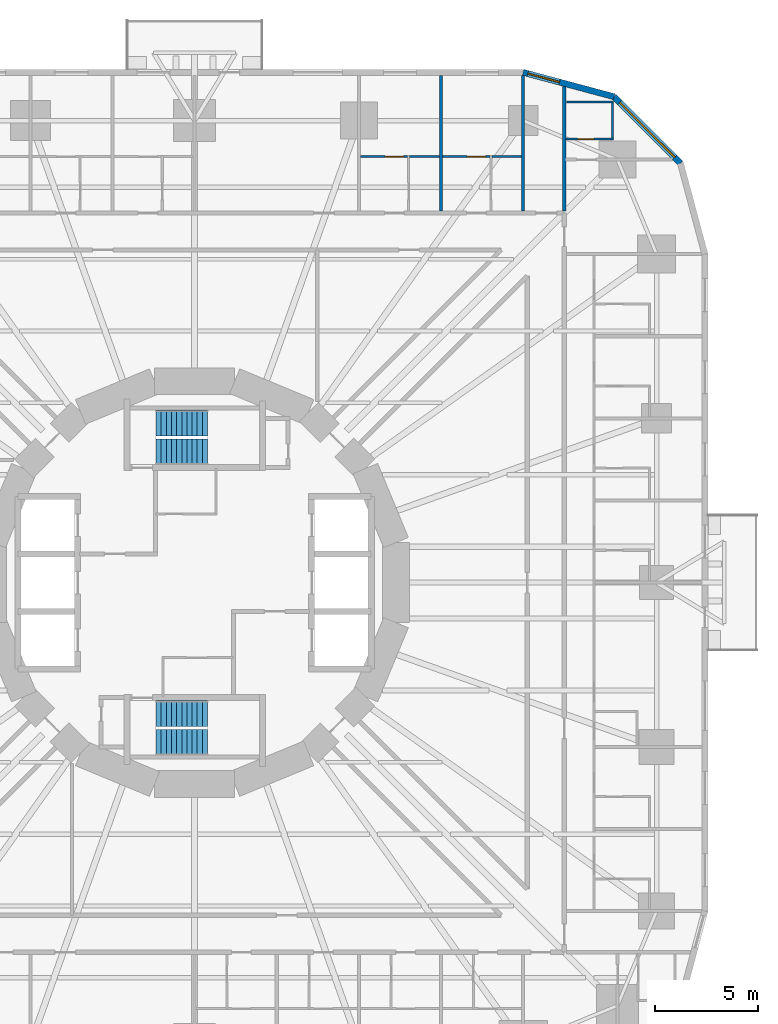
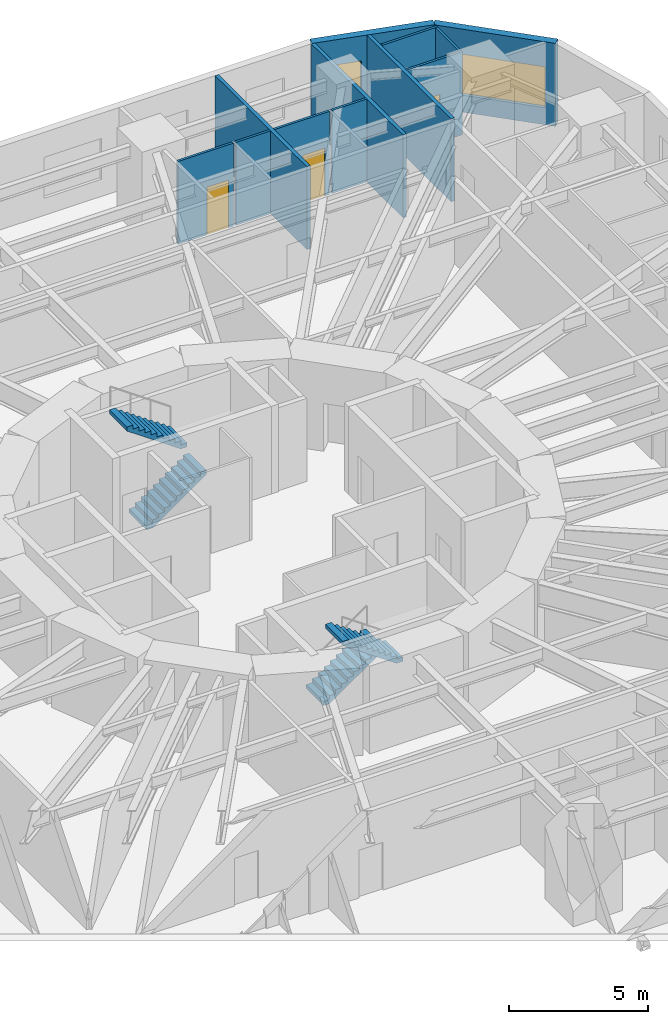
# One storey, part 12 of 14: 12 walls, 4 stair flights, 3 doors, 2 windows, 5 openings, 2 elements without a shape of their own.
"""IFC4 building model written with IfcOpenShell, lengths in metres."""

from ifc_helpers import new_model, si_unit, direction, frame, frame_2d, origin, place, context, subcontext, project, spatial, polyline, rectangle, outline, extrude, material, layer, layer_set, type_object, element, fill, aggregate, save


model = new_model("IFC4")

# Units and contexts
model_context = context("Model", 3, precision=1e-05, world=origin(), true_north=direction((0.0, 1.0)))
body_context = subcontext(model_context, "Body", "Model", "MODEL_VIEW")
ifc_project = project(units=[si_unit("LENGTHUNIT", "METRE"), si_unit("AREAUNIT", "SQUARE_METRE"), si_unit("VOLUMEUNIT", "CUBIC_METRE"), si_unit("PLANEANGLEUNIT", "RADIAN"), si_unit("MASSUNIT", "GRAM", prefix="KILO")], contexts=[model_context])

# Site, building, storey
site_placement = place(None, origin())
site = spatial("IfcSite", under=ifc_project, at=site_placement, CompositionType="ELEMENT")
building_placement = place(site_placement, origin())
building = spatial("IfcBuilding", under=site, at=building_placement, Name="Nakasero Lantern House", CompositionType="ELEMENT")
storey_placement = place(building_placement, frame((0.0, 0.0, 23.699951171875)))
storey = spatial("IfcBuildingStorey", under=building, at=storey_placement, Name="L05", CompositionType="ELEMENT", Elevation=23.699951171875)

# Wall, opening, door
ifc_material_1 = material(Name="Blockwork", Category="masonry")
ifc_layer_1 = layer(ifc_material_1, 0.10009765625)
ifc_layer_set_1 = layer_set([ifc_layer_1], Name="En-suite wall 100")
wall_type_1 = type_object("IfcWallType", Name="En-suite wall 100", PredefinedType="PARTITIONING", material=ifc_layer_set_1)
wall_1_placement = place(storey_placement, frame((18.06494140625, 21.59619140625, 0.0), z_axis=(0.0, 0.0, 1.0), x_axis=(1.0, 0.0, 0.0)))
wall_1 = element("IfcWall", 1, at=wall_1_placement, inside=storey, type_object=wall_type_1, Name="En-suite wall L05 ES0-09", PredefinedType="PARTITIONING", context=body_context, shape_type="SweptSolid", body=[
    extrude(rectangle(XDim=2.3349609375, YDim=0.10009765625, at=frame_2d((1.16748046875, 0.0))), origin(), (0.0, 0.0, 1.0), 3.650146484375),
])
opening_1_placement = place(wall_1_placement, frame((0.5849609375, 0.0, 0.0)))
opening_1 = element("IfcOpeningElement", 2, at=opening_1_placement, cuts=wall_1, Name="Opening D02", PredefinedType="OPENING", context=body_context, shape_type="SweptSolid", body=[
    extrude(rectangle(XDim=0.800048828125, YDim=2.10009765625, at=frame_2d((0.39990234375, 1.050048828125))), frame((0.0, 0.070068359375, 0.0), z_axis=(0.0, -1.0, 0.0), x_axis=(1.0, 0.0, 0.0)), (0.0, 0.0, 1.0), 0.14013671875),
])
ifc_material_2 = material(Name="Timber C24", Category="wood")
door_type_1 = type_object("IfcDoorType", Name="En-suite door 800", OperationType="SINGLE_SWING_RIGHT", PredefinedType="DOOR", material=ifc_material_2)
door_1_placement = place(opening_1_placement, origin())
door_1 = element("IfcDoor", 3, at=door_1_placement, inside=storey, type_object=door_type_1, Name="Door L05 DE0-09", OperationType="SINGLE_SWING_LEFT", OverallHeight=2.10009765625, OverallWidth=0.800048828125, PredefinedType="DOOR", context=body_context, shape_type="SweptSolid", body=[
    extrude(rectangle(XDim=0.800048828125, YDim=2.10009765625, at=frame_2d((0.39990234375, 1.050048828125))), frame((0.0, 0.02490234375, 0.0), z_axis=(0.0, -1.0, 0.0), x_axis=(1.0, 0.0, 0.0)), (0.0, 0.0, 1.0), 0.050048828125),
])
fill(opening_1, door_1)

# Walls
wall_2_placement = place(storey_placement, frame((20.35009765625, 21.646240234375, 0.0), z_axis=(0.0, 0.0, 1.0), x_axis=(0.0, 1.0, 0.0)))
element("IfcWall", 4, at=wall_2_placement, inside=storey, type_object=wall_type_1, Name="En-suite wall L05 EE0-09", PredefinedType="PARTITIONING", context=body_context, shape_type="SweptSolid", body=[
    extrude(rectangle(XDim=1.699951171875, YDim=0.10009765625, at=frame_2d((0.85009765625, 0.0))), origin(), (0.0, 0.0, 1.0), 3.650146484375),
])
wall_3_placement = place(storey_placement, frame((18.10009765625, 23.396240234375, 0.0), z_axis=(0.0, 0.0, 1.0), x_axis=(1.0, 0.0, 0.0)))
element("IfcWall", 5, at=wall_3_placement, inside=storey, type_object=wall_type_1, Name="En-suite wall L05 EV0-09", PredefinedType="PARTITIONING", context=body_context, shape_type="SweptSolid", body=[
    extrude(rectangle(XDim=2.2998046875, YDim=0.10009765625, at=frame_2d((1.14990234375, 0.0))), origin(), (0.0, 0.0, 1.0), 3.650146484375),
])
for number, where, z_axis, x_axis, name in (
    (6, (15.925048828125, 20.75, 0.0), (0.0, 0.0, 1.0), (-1.0, 0.0, 0.0), "En-suite wall L05 EE1-01"),
    (7, (11.925048828125, 20.75, 0.0), (0.0, 0.0, 1.0), (-1.0, 0.0, 0.0), "En-suite wall L05 EE1-02"),
):
    element("IfcWall", number, at=place(storey_placement, frame(where, z_axis=z_axis, x_axis=x_axis)), inside=storey, type_object=wall_type_1, Name=name, PredefinedType="PARTITIONING", context=body_context, shape_type="SweptSolid", body=[
        extrude(rectangle(XDim=1.449951171875, YDim=0.10009765625, at=frame_2d((0.72509765625, 0.0))), origin(), (0.0, 0.0, 1.0), 3.650146484375),
    ])

# Wall, opening, door
wall_4_placement = place(storey_placement, frame((14.375, 20.75, 0.0), z_axis=(0.0, 0.0, 1.0), x_axis=(-1.0, 0.0, 0.0)))
wall_4 = element("IfcWall", 8, at=wall_4_placement, inside=storey, type_object=wall_type_1, Name="En-suite wall L05 EL1-01", PredefinedType="PARTITIONING", context=body_context, shape_type="SweptSolid", body=[
    extrude(rectangle(XDim=2.300048828125, YDim=0.10009765625, at=frame_2d((1.14990234375, 0.0))), origin(), (0.0, 0.0, 1.0), 3.650146484375),
])
opening_2_placement = place(wall_4_placement, frame((0.199951171875, 0.0, 0.0)))
opening_2 = element("IfcOpeningElement", 9, at=opening_2_placement, cuts=wall_4, Name="Opening D17", PredefinedType="OPENING", context=body_context, shape_type="SweptSolid", body=[
    extrude(rectangle(XDim=0.89990234375, YDim=2.10009765625, at=frame_2d((0.449951171875, 1.050048828125))), frame((0.0, 0.070068359375, 0.0), z_axis=(0.0, -1.0, 0.0), x_axis=(1.0, 0.0, 0.0)), (0.0, 0.0, 1.0), 0.14013671875),
])
ifc_material_3 = material(Name="Timber C24", Category="wood")
door_type_2 = type_object("IfcDoorType", Name="Bedroom door FD30S 900", OperationType="SINGLE_SWING_LEFT", PredefinedType="DOOR", material=ifc_material_3)
door_2_placement = place(opening_2_placement, origin())
door_2 = element("IfcDoor", 10, at=door_2_placement, inside=storey, type_object=door_type_2, Name="Door L05 DL1-01", OperationType="SINGLE_SWING_LEFT", OverallHeight=2.10009765625, OverallWidth=0.89990234375, PredefinedType="DOOR", context=body_context, shape_type="SweptSolid", body=[
    extrude(rectangle(XDim=0.89990234375, YDim=2.10009765625, at=frame_2d((0.449951171875, 1.050048828125))), frame((0.0, 0.02490234375, 0.0), z_axis=(0.0, -1.0, 0.0), x_axis=(1.0, 0.0, 0.0)), (0.0, 0.0, 1.0), 0.050048828125),
])
fill(opening_2, door_2)

wall_5_placement = place(storey_placement, frame((10.375, 20.75, 0.0), z_axis=(0.0, 0.0, 1.0), x_axis=(-1.0, 0.0, 0.0)))
wall_5 = element("IfcWall", 11, at=wall_5_placement, inside=storey, type_object=wall_type_1, Name="En-suite wall L05 EL1-02", PredefinedType="PARTITIONING", context=body_context, shape_type="SweptSolid", body=[
    extrude(rectangle(XDim=2.300048828125, YDim=0.10009765625, at=frame_2d((1.14990234375, 0.0))), origin(), (0.0, 0.0, 1.0), 3.650146484375),
])
opening_3_placement = place(wall_5_placement, frame((0.199951171875, 0.0, 0.0)))
opening_3 = element("IfcOpeningElement", 12, at=opening_3_placement, cuts=wall_5, Name="Opening D17", PredefinedType="OPENING", context=body_context, shape_type="SweptSolid", body=[
    extrude(rectangle(XDim=0.89990234375, YDim=2.10009765625, at=frame_2d((0.449951171875, 1.050048828125))), frame((0.0, 0.070068359375, 0.0), z_axis=(0.0, -1.0, 0.0), x_axis=(1.0, 0.0, 0.0)), (0.0, 0.0, 1.0), 0.14013671875),
])
door_3_placement = place(opening_3_placement, origin())
door_3 = element("IfcDoor", 13, at=door_3_placement, inside=storey, type_object=door_type_2, Name="Door L05 DL1-02", OperationType="SINGLE_SWING_LEFT", OverallHeight=2.10009765625, OverallWidth=0.89990234375, PredefinedType="DOOR", context=body_context, shape_type="SweptSolid", body=[
    extrude(rectangle(XDim=0.89990234375, YDim=2.10009765625, at=frame_2d((0.449951171875, 1.050048828125))), frame((0.0, 0.02490234375, 0.0), z_axis=(0.0, -1.0, 0.0), x_axis=(1.0, 0.0, 0.0)), (0.0, 0.0, 1.0), 0.050048828125),
])
fill(opening_3, door_3)

# Wall, opening, window
ifc_material_4 = material(Name="Aluminium rainscreen on blockwork", Category="masonry")
ifc_layer_2 = layer(ifc_material_4, 0.300048828125)
ifc_layer_set_2 = layer_set([ifc_layer_2], Name="Facade wall 300")
wall_type_2 = type_object("IfcWallType", Name="Facade wall 300", PredefinedType="SOLIDWALL", material=ifc_layer_set_2)
wall_6_placement = place(storey_placement, frame((23.664306640625, 20.425048828125, 0.0), z_axis=(0.0, 0.0, 1.0), x_axis=(-0.707106781187, 0.707106781187, 0.0)))
wall_6 = element("IfcWall", 14, at=wall_6_placement, inside=storey, type_object=wall_type_2, Name="Facade wall L05 FW0C2", PredefinedType="SOLIDWALL", context=body_context, shape_type="SweptSolid", body=[
    extrude(rectangle(XDim=4.5810546875, YDim=0.300048828125, at=frame_2d((2.29052734375, 0.0))), origin(), (0.0, 0.0, 1.0), 3.650146484375),
])
opening_4_placement = place(wall_6_placement, frame((0.39990234375, 0.0, 0.75)))
opening_4 = element("IfcOpeningElement", 15, at=opening_4_placement, cuts=wall_6, Name="Opening W237", PredefinedType="OPENING", context=body_context, shape_type="SweptSolid", body=[
    extrude(rectangle(XDim=3.781005859375, YDim=1.800048828125, at=frame_2d((1.890625, 0.89990234375))), frame((0.0, 0.169921875, 0.0), z_axis=(0.0, -1.0, 0.0), x_axis=(1.0, 0.0, 0.0)), (0.0, 0.0, 1.0), 0.340087890625),
])
ifc_material_5 = material(Name="Aluminium 6063-T6 and glass", Category="aluminium")
window_type_1 = type_object("IfcWindowType", Name="Corner window 3781x1800", PartitioningType="SINGLE_PANEL", PredefinedType="WINDOW", material=ifc_material_5)
window_1_placement = place(opening_4_placement, origin())
window_1 = element("IfcWindow", 16, at=window_1_placement, inside=storey, type_object=window_type_1, Name="Window L05 WC0", OverallHeight=1.800048828125, OverallWidth=3.781005859375, PartitioningType="SINGLE_PANEL", PredefinedType="WINDOW", context=body_context, shape_type="SweptSolid", body=[
    extrude(rectangle(XDim=3.781005859375, YDim=1.800048828125, at=frame_2d((1.890625, 0.89990234375))), frame((0.0, 0.030029296875, 0.0), z_axis=(0.0, -1.0, 0.0), x_axis=(1.0, 0.0, 0.0)), (0.0, 0.0, 1.0), 0.06005859375),
])
fill(opening_4, window_1)

wall_7_placement = place(storey_placement, frame((20.425048828125, 23.664306640625, 0.0), z_axis=(0.0, 0.0, 1.0), x_axis=(-0.965920218567, 0.258839972501, 0.0)))
wall_7 = element("IfcWall", 17, at=wall_7_placement, inside=storey, type_object=wall_type_2, Name="Facade wall L05 FW0C3", PredefinedType="SOLIDWALL", context=body_context, shape_type="SweptSolid", body=[
    extrude(rectangle(XDim=4.5810546875, YDim=0.300048828125, at=frame_2d((2.29052734375, 0.0))), origin(), (0.0, 0.0, 1.0), 3.650146484375),
])
opening_5_placement = place(wall_7_placement, frame((2.74609375, 0.0, 0.75)))
opening_5 = element("IfcOpeningElement", 18, at=opening_5_placement, cuts=wall_7, Name="Opening W01", PredefinedType="OPENING", context=body_context, shape_type="SweptSolid", body=[
    extrude(rectangle(XDim=1.60009765625, YDim=1.800048828125, at=frame_2d((0.800048828125, 0.89990234375))), frame((0.0, 0.169921875, 0.0), z_axis=(0.0, -1.0, 0.0), x_axis=(1.0, 0.0, 0.0)), (0.0, 0.0, 1.0), 0.340087890625),
])
ifc_material_6 = material(Name="Aluminium 6063-T6 and glass", Category="aluminium")
window_type_2 = type_object("IfcWindowType", Name="Bedroom window 1600x1800", PartitioningType="SINGLE_PANEL", PredefinedType="WINDOW", material=ifc_material_6)
window_2_placement = place(opening_5_placement, origin())
window_2 = element("IfcWindow", 19, at=window_2_placement, inside=storey, type_object=window_type_2, Name="Window L05 WN1-00", OverallHeight=1.800048828125, OverallWidth=1.60009765625, PartitioningType="SINGLE_PANEL", PredefinedType="WINDOW", context=body_context, shape_type="SweptSolid", body=[
    extrude(rectangle(XDim=1.60009765625, YDim=1.800048828125, at=frame_2d((0.800048828125, 0.89990234375))), frame((0.0, 0.030029296875, 0.0), z_axis=(0.0, -1.0, 0.0), x_axis=(1.0, 0.0, 0.0)), (0.0, 0.0, 1.0), 0.06005859375),
])
fill(opening_5, window_2)

# Walls
ifc_material_7 = material(Name="Blockwork", Category="masonry")
ifc_layer_3 = layer(ifc_material_7, 0.14990234375)
ifc_layer_set_3 = layer_set([ifc_layer_3], Name="Party wall 150")
wall_type_3 = type_object("IfcWallType", Name="Party wall 150", PredefinedType="PARTITIONING", material=ifc_layer_set_3)
wall_8_placement = place(storey_placement, frame((18.0, 18.10009765625, 0.0), z_axis=(0.0, 0.0, 1.0), x_axis=(0.0, 1.0, 0.0)))
element("IfcWall", 20, at=wall_8_placement, inside=storey, type_object=wall_type_3, Name="Party wall L05 PW1-00", PredefinedType="PARTITIONING", context=body_context, shape_type="SweptSolid", body=[
    extrude(rectangle(XDim=6.053466796875, YDim=0.14990234375, at=frame_2d((3.02685546875, 0.0))), origin(), (0.0, 0.0, 1.0), 3.650146484375),
])
wall_9_placement = place(storey_placement, frame((16.0, 18.10009765625, 0.0), z_axis=(0.0, 0.0, 1.0), x_axis=(0.0, 1.0, 0.0)))
element("IfcWall", 21, at=wall_9_placement, inside=storey, type_object=wall_type_3, Name="Party wall L05 PW1-01", PredefinedType="PARTITIONING", context=body_context, shape_type="SweptSolid", body=[
    extrude(rectangle(XDim=6.58935546875, YDim=0.14990234375, at=frame_2d((3.294677734375, 0.0))), origin(), (0.0, 0.0, 1.0), 3.650146484375),
])
wall_10_placement = place(storey_placement, frame((12.0, 18.10009765625, 0.0), z_axis=(0.0, 0.0, 1.0), x_axis=(0.0, 1.0, 0.0)))
element("IfcWall", 22, at=wall_10_placement, inside=storey, type_object=wall_type_3, Name="Party wall L05 PW1-02", PredefinedType="PARTITIONING", context=body_context, shape_type="SweptSolid", body=[
    extrude(rectangle(XDim=6.599853515625, YDim=0.14990234375, at=frame_2d((3.2998046875, 0.0))), origin(), (0.0, 0.0, 1.0), 3.650146484375),
])

# Stair, stair flights
ifc_material_8 = material(Name="Concrete C40/50", Category="concrete")
stair_type_1 = type_object("IfcStairType", Name="Escape stair ST1 22 risers", PredefinedType="HALF_TURN_STAIR", material=ifc_material_8)
stair_1_placement = place(storey_placement, origin())
stair_1 = element("IfcStair", 23, at=stair_1_placement, inside=storey, type_object=stair_type_1, Name="Escape stair ST1 L05", PredefinedType="HALF_TURN_STAIR")
ifc_material_9 = material(Name="Concrete C40/50", Category="concrete")
stair_flight_type = type_object("IfcStairFlightType", Name="Escape stair flight", PredefinedType="STRAIGHT", material=ifc_material_9)
stair_flight_1_placement = place(storey_placement, frame((-1.875, 6.375, 0.0), z_axis=(0.0, 0.0, 1.0), x_axis=(1.0, 0.0, 0.0)))
stair_flight_1 = element("IfcStairFlight", 24, at=stair_flight_1_placement, type_object=stair_flight_type, Name="ST1 flight 1", NumberOfRisers=11, NumberOfTreads=10, PredefinedType="STRAIGHT", RiserHeight=0.175, TreadLength=0.25, context=body_context, shape_type="SweptSolid", body=[
    extrude(outline(polyline([(0.0, 0.0), (0.0, 0.175048828125), (0.25, 0.175048828125), (0.25, 0.35009765625), (0.5, 0.35009765625), (0.5, 0.52490234375), (0.75, 0.52490234375), (0.75, 0.699951171875), (1.0, 0.699951171875), (1.0, 0.875), (1.25, 0.875), (1.25, 1.050048828125), (1.5, 1.050048828125), (1.5, 1.22509765625), (1.75, 1.22509765625), (1.75, 1.39990234375), (2.0, 1.39990234375), (2.0, 1.574951171875), (2.25, 1.574951171875), (2.25, 1.75), (2.5, 1.75), (2.5, 1.925048828125), (2.5, 1.567138671875), (0.261474609375, 0.0), (0.0, 0.0)])), frame((0.0, 0.625, 0.0), z_axis=(0.0, -1.0, 0.0), x_axis=(1.0, 0.0, 0.0)), (0.0, 0.0, 1.0), 1.25),
])
stair_flight_2_placement = place(storey_placement, frame((0.625, 7.77490234375, 1.925048828125), z_axis=(0.0, 0.0, 1.0), x_axis=(-1.0, 0.0, 0.0)))
stair_flight_2 = element("IfcStairFlight", 25, at=stair_flight_2_placement, type_object=stair_flight_type, Name="ST1 flight 2", NumberOfRisers=11, NumberOfTreads=10, PredefinedType="STRAIGHT", RiserHeight=0.175, TreadLength=0.25, context=body_context, shape_type="SweptSolid", body=[
    extrude(outline(polyline([(0.0, 0.0), (0.0, 0.175048828125), (0.25, 0.175048828125), (0.25, 0.35009765625), (0.5, 0.35009765625), (0.5, 0.52490234375), (0.75, 0.52490234375), (0.75, 0.699951171875), (1.0, 0.699951171875), (1.0, 0.875), (1.25, 0.875), (1.25, 1.050048828125), (1.5, 1.050048828125), (1.5, 1.22509765625), (1.75, 1.22509765625), (1.75, 1.39990234375), (2.0, 1.39990234375), (2.0, 1.574951171875), (2.25, 1.574951171875), (2.25, 1.75), (2.5, 1.75), (2.5, 1.925048828125), (2.5, 1.567138671875), (0.261474609375, 0.0), (0.0, 0.0)])), frame((0.0, 0.625, 0.0), z_axis=(0.0, -1.0, 0.0), x_axis=(1.0, 0.0, 0.0)), (0.0, 0.0, 1.0), 1.25),
])
aggregate(stair_1, [stair_flight_1, stair_flight_2])

ifc_material_10 = material(Name="Concrete C40/50", Category="concrete")
stair_type_2 = type_object("IfcStairType", Name="Escape stair ST2 22 risers", PredefinedType="HALF_TURN_STAIR", material=ifc_material_10)
stair_2_placement = place(storey_placement, origin())
stair_2 = element("IfcStair", 26, at=stair_2_placement, inside=storey, type_object=stair_type_2, Name="Escape stair ST2 L05", PredefinedType="HALF_TURN_STAIR")
stair_flight_3_placement = place(storey_placement, frame((-1.875, -6.375, 0.0), z_axis=(0.0, 0.0, 1.0), x_axis=(1.0, 0.0, 0.0)))
stair_flight_3 = element("IfcStairFlight", 27, at=stair_flight_3_placement, type_object=stair_flight_type, Name="ST2 flight 1", NumberOfRisers=11, NumberOfTreads=10, PredefinedType="STRAIGHT", RiserHeight=0.175, TreadLength=0.25, context=body_context, shape_type="SweptSolid", body=[
    extrude(outline(polyline([(0.0, 0.0), (0.0, 0.175048828125), (0.25, 0.175048828125), (0.25, 0.35009765625), (0.5, 0.35009765625), (0.5, 0.52490234375), (0.75, 0.52490234375), (0.75, 0.699951171875), (1.0, 0.699951171875), (1.0, 0.875), (1.25, 0.875), (1.25, 1.050048828125), (1.5, 1.050048828125), (1.5, 1.22509765625), (1.75, 1.22509765625), (1.75, 1.39990234375), (2.0, 1.39990234375), (2.0, 1.574951171875), (2.25, 1.574951171875), (2.25, 1.75), (2.5, 1.75), (2.5, 1.925048828125), (2.5, 1.567138671875), (0.261474609375, 0.0), (0.0, 0.0)])), frame((0.0, 0.625, 0.0), z_axis=(0.0, -1.0, 0.0), x_axis=(1.0, 0.0, 0.0)), (0.0, 0.0, 1.0), 1.25),
])
stair_flight_4_placement = place(storey_placement, frame((0.625, -7.77490234375, 1.925048828125), z_axis=(0.0, 0.0, 1.0), x_axis=(-1.0, 0.0, 0.0)))
stair_flight_4 = element("IfcStairFlight", 28, at=stair_flight_4_placement, type_object=stair_flight_type, Name="ST2 flight 2", NumberOfRisers=11, NumberOfTreads=10, PredefinedType="STRAIGHT", RiserHeight=0.175, TreadLength=0.25, context=body_context, shape_type="SweptSolid", body=[
    extrude(outline(polyline([(0.0, 0.0), (0.0, 0.175048828125), (0.25, 0.175048828125), (0.25, 0.35009765625), (0.5, 0.35009765625), (0.5, 0.52490234375), (0.75, 0.52490234375), (0.75, 0.699951171875), (1.0, 0.699951171875), (1.0, 0.875), (1.25, 0.875), (1.25, 1.050048828125), (1.5, 1.050048828125), (1.5, 1.22509765625), (1.75, 1.22509765625), (1.75, 1.39990234375), (2.0, 1.39990234375), (2.0, 1.574951171875), (2.25, 1.574951171875), (2.25, 1.75), (2.5, 1.75), (2.5, 1.925048828125), (2.5, 1.567138671875), (0.261474609375, 0.0), (0.0, 0.0)])), frame((0.0, 0.625, 0.0), z_axis=(0.0, -1.0, 0.0), x_axis=(1.0, 0.0, 0.0)), (0.0, 0.0, 1.0), 1.25),
])
aggregate(stair_2, [stair_flight_3, stair_flight_4])

save(model, "model.ifc")
